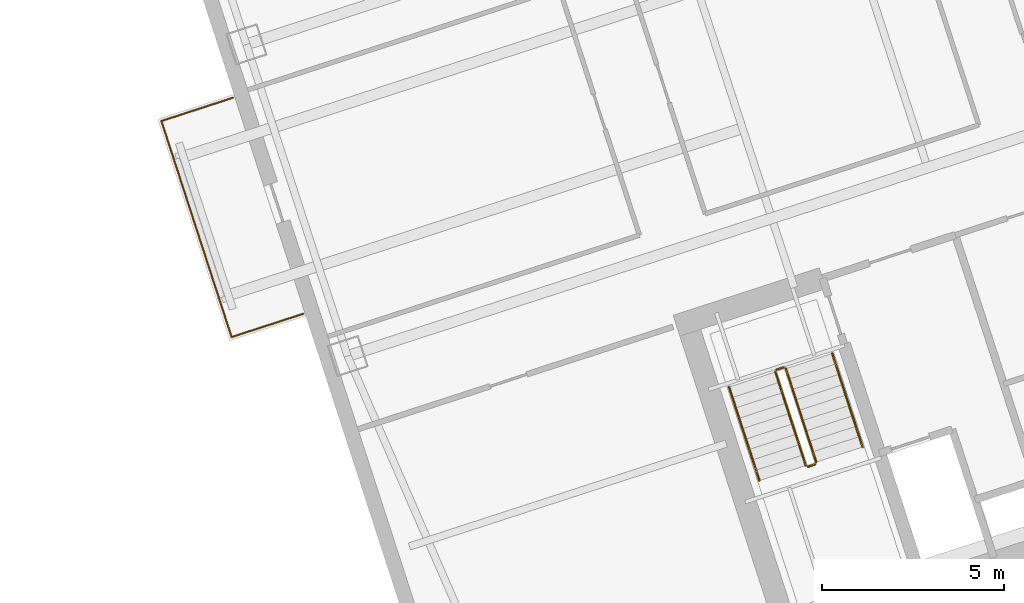
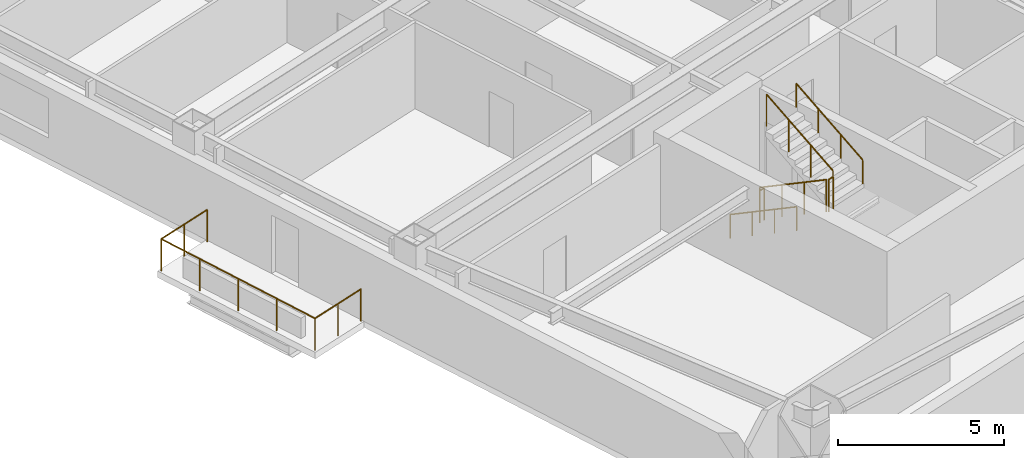
# One storey, part 13 of 14: 7 railings.
"""IFC4 building model written with IfcOpenShell, lengths in metres."""

from ifc_helpers import new_model, si_unit, direction, frame, origin, origin_2d, place, context, subcontext, project, spatial, circle, extrude, material, type_object, element, save


model = new_model("IFC4")

# Units and contexts
model_context = context("Model", 3, precision=1e-05, world=origin(), true_north=direction((0.0, 1.0)))
body_context = subcontext(model_context, "Body", "Model", "MODEL_VIEW")
ifc_project = project(units=[si_unit("LENGTHUNIT", "METRE"), si_unit("AREAUNIT", "SQUARE_METRE"), si_unit("VOLUMEUNIT", "CUBIC_METRE"), si_unit("PLANEANGLEUNIT", "RADIAN"), si_unit("MASSUNIT", "GRAM", prefix="KILO")], contexts=[model_context])

# Site, building, storey
site_placement = place(None, origin())
site = spatial("IfcSite", under=ifc_project, at=site_placement, CompositionType="ELEMENT")
building_placement = place(site_placement, origin())
building = spatial("IfcBuilding", under=site, at=building_placement, Name="Qiaolan Cultural Towers", CompositionType="ELEMENT")
storey_placement = place(building_placement, frame((0.0, 0.0, 124.199951171875)))
storey = spatial("IfcBuildingStorey", under=building, at=storey_placement, Name="L32", CompositionType="ELEMENT", Elevation=124.199951171875)

# Railings
ifc_material_1 = material(Name="Laminated SentryGlas & Stainless Steel S31608 Balustrade", Category="steel")
railing_type_1 = type_object("IfcRailingType", Name="GRD-TERR-1200", PredefinedType="BALUSTRADE", material=ifc_material_1)
railing_1_placement = place(storey_placement, frame((75.6328125, 21.4248046875, 0.0)))
element("IfcRailing", 1, at=railing_1_placement, inside=storey, type_object=railing_type_1, Name="L32 T2 Tree Balcony Guardrail W", PredefinedType="BALUSTRADE", context=body_context, shape_type="SweptSolid", body=[
    extrude(circle(Radius=0.02392578125, at=origin_2d()), frame((0.0, 0.0, 1.17578125), z_axis=(-0.951061799618, -0.309000733507, 0.0), x_axis=(0.309000733507, -0.951061799618, 0.0)), (0.0, 0.0, 1.0), 2.070068359375),
    extrude(circle(Radius=0.02392578125, at=origin_2d()), frame((-1.96875, -0.6396484375, 1.17578125), z_axis=(-0.30901175762, 0.951058217804, 0.0), x_axis=(-0.951058217804, -0.30901175762, 0.0)), (0.0, 0.0, 1.0), 6.239990234375),
    extrude(circle(Radius=0.02392578125, at=origin_2d()), frame((-3.89697265625, 5.294921875, 1.17578125), z_axis=(0.951061799618, 0.309000733507, 0.0), x_axis=(-0.309000733507, 0.951061799618, 0.0)), (0.0, 0.0, 1.0), 2.070068359375),
    extrude(circle(Radius=0.02099609375, at=origin_2d()), origin(), (0.0, 0.0, 1.0), 1.15185546875),
    extrude(circle(Radius=0.02099609375, at=origin_2d()), frame((-0.984375, -0.31982421875, 0.0)), (0.0, 0.0, 1.0), 1.15185546875),
    extrude(circle(Radius=0.02099609375, at=origin_2d()), frame((-1.96875, -0.6396484375, 0.0)), (0.0, 0.0, 1.0), 1.15185546875),
    extrude(circle(Radius=0.02099609375, at=origin_2d()), frame((-2.45068359375, 0.843994140625, 0.0)), (0.0, 0.0, 1.0), 1.15185546875),
    extrude(circle(Radius=0.02099609375, at=origin_2d()), frame((-2.932861328125, 2.32763671875, 0.0)), (0.0, 0.0, 1.0), 1.15185546875),
    extrude(circle(Radius=0.02099609375, at=origin_2d()), frame((-3.4150390625, 3.811279296875, 0.0)), (0.0, 0.0, 1.0), 1.15185546875),
    extrude(circle(Radius=0.02099609375, at=origin_2d()), frame((-3.89697265625, 5.294921875, 0.0)), (0.0, 0.0, 1.0), 1.15185546875),
    extrude(circle(Radius=0.02099609375, at=origin_2d()), frame((-2.91259765625, 5.61474609375, 0.0)), (0.0, 0.0, 1.0), 1.15185546875),
    extrude(circle(Radius=0.02099609375, at=origin_2d()), frame((-1.92822265625, 5.9345703125, 0.0)), (0.0, 0.0, 1.0), 1.15185546875),
])
ifc_material_2 = material(Name="Galvanized Painted Steel Stair Guardrail", Category="steel")
railing_type_2 = type_object("IfcRailingType", Name="RL-STAIR-GRD", PredefinedType="GUARDRAIL", material=ifc_material_2)
railing_2_placement = place(storey_placement, frame((88.60205078125, 19.82421875, 0.172607421875)))
element("IfcRailing", 2, at=railing_2_placement, inside=storey, type_object=railing_type_2, Name="L32 ST-E1 stair guard 1", PredefinedType="GUARDRAIL", context=body_context, shape_type="SweptSolid", body=[
    extrude(circle(Radius=0.02392578125, at=origin_2d()), frame((0.0, 0.0, 1.17578125), z_axis=(0.267925668498, -0.824471088726, 0.498460891159), x_axis=(0.951043371037, 0.309057448393, 0.0)), (0.0, 0.0, 1.0), 3.114501953125),
    extrude(circle(Radius=0.02099609375, at=origin_2d()), origin(), (0.0, 0.0, 1.0), 1.15185546875),
    extrude(circle(Radius=0.02099609375, at=origin_2d()), frame((0.278076171875, -0.85595703125, 0.517578125)), (0.0, 0.0, 1.0), 1.15185546875),
    extrude(circle(Radius=0.02099609375, at=origin_2d()), frame((0.556396484375, -1.7119140625, 1.034912109375)), (0.0, 0.0, 1.0), 1.15185546875),
    extrude(circle(Radius=0.02099609375, at=origin_2d()), frame((0.83447265625, -2.56787109375, 1.552490234375)), (0.0, 0.0, 1.0), 1.15185546875),
])
railing_3_placement = place(storey_placement, frame((89.49951171875, 17.224365234375, 1.72509765625)))
element("IfcRailing", 3, at=railing_3_placement, inside=storey, type_object=railing_type_2, Name="L32 ST-E1 stair guard 2", PredefinedType="GUARDRAIL", context=body_context, shape_type="SweptSolid", body=[
    extrude(circle(Radius=0.02392578125, at=origin_2d()), frame((0.0, 0.0, 1.17578125), z_axis=(0.951096855055, 0.308892816854, 0.0), x_axis=(-0.308892816854, 0.951096855055, 0.0)), (0.0, 0.0, 1.0), 0.199951171875),
    extrude(circle(Radius=0.02099609375, at=origin_2d()), origin(), (0.0, 0.0, 1.0), 1.15185546875),
    extrude(circle(Radius=0.02099609375, at=origin_2d()), frame((0.190185546875, 0.061767578125, 0.0)), (0.0, 0.0, 1.0), 1.15185546875),
])
railing_4_placement = place(storey_placement, frame((89.721923828125, 17.34912109375, 1.8974609375)))
element("IfcRailing", 4, at=railing_4_placement, inside=storey, type_object=railing_type_2, Name="L32 ST-E1 stair guard 3", PredefinedType="GUARDRAIL", context=body_context, shape_type="SweptSolid", body=[
    extrude(circle(Radius=0.02392578125, at=origin_2d()), frame((0.0, 0.0, 1.17578125), z_axis=(-0.267925668498, 0.824471088726, 0.498460891159), x_axis=(-0.951043371037, -0.309057448393, 0.0)), (0.0, 0.0, 1.0), 3.114501953125),
    extrude(circle(Radius=0.02099609375, at=origin_2d()), origin(), (0.0, 0.0, 1.0), 1.15185546875),
    extrude(circle(Radius=0.02099609375, at=origin_2d()), frame((-0.278076171875, 0.85595703125, 0.517578125)), (0.0, 0.0, 1.0), 1.15185546875),
    extrude(circle(Radius=0.02099609375, at=origin_2d()), frame((-0.556396484375, 1.7119140625, 1.034912109375)), (0.0, 0.0, 1.0), 1.15185546875),
    extrude(circle(Radius=0.02099609375, at=origin_2d()), frame((-0.83447265625, 2.56787109375, 1.552490234375)), (0.0, 0.0, 1.0), 1.15185546875),
])
railing_5_placement = place(storey_placement, frame((88.63427734375, 19.88720703125, 0.0)))
element("IfcRailing", 5, at=railing_5_placement, inside=storey, type_object=railing_type_2, Name="L32 ST-E1 stair guard 4", PredefinedType="GUARDRAIL", context=body_context, shape_type="SweptSolid", body=[
    extrude(circle(Radius=0.02392578125, at=origin_2d()), frame((0.0, 0.0, 1.17578125), z_axis=(0.951096855055, 0.308892816854, 0.0), x_axis=(-0.308892816854, 0.951096855055, 0.0)), (0.0, 0.0, 1.0), 0.199951171875),
    extrude(circle(Radius=0.02099609375, at=origin_2d()), origin(), (0.0, 0.0, 1.0), 1.15185546875),
    extrude(circle(Radius=0.02099609375, at=origin_2d()), frame((0.190185546875, 0.061767578125, 0.0)), (0.0, 0.0, 1.0), 1.15185546875),
])
ifc_material_3 = material(Name="Stainless Steel S30408 Tubular Handrail", Category="steel")
railing_type_3 = type_object("IfcRailingType", Name="RL-STAIR-HR", PredefinedType="HANDRAIL", material=ifc_material_3)
railing_6_placement = place(storey_placement, frame((87.32763671875, 19.41015625, 0.172607421875)))
element("IfcRailing", 6, at=railing_6_placement, inside=storey, type_object=railing_type_3, Name="L32 ST-E1 stair handrail 1", PredefinedType="HANDRAIL", context=body_context, shape_type="SweptSolid", body=[
    extrude(circle(Radius=0.02392578125, at=origin_2d()), frame((0.0, 0.0, 0.8759765625), z_axis=(0.267925668498, -0.824471088726, 0.498460891159), x_axis=(0.951043371037, 0.309057448393, 0.0)), (0.0, 0.0, 1.0), 3.114501953125),
    extrude(circle(Radius=0.02099609375, at=origin_2d()), origin(), (0.0, 0.0, 1.0), 0.851806640625),
    extrude(circle(Radius=0.02099609375, at=origin_2d()), frame((0.278076171875, -0.85595703125, 0.517578125)), (0.0, 0.0, 1.0), 0.851806640625),
    extrude(circle(Radius=0.02099609375, at=origin_2d()), frame((0.556396484375, -1.7119140625, 1.034912109375)), (0.0, 0.0, 1.0), 0.851806640625),
    extrude(circle(Radius=0.02099609375, at=origin_2d()), frame((0.83447265625, -2.56787109375, 1.552490234375)), (0.0, 0.0, 1.0), 0.851806640625),
])
railing_7_placement = place(storey_placement, frame((90.996337890625, 17.76318359375, 1.8974609375)))
element("IfcRailing", 7, at=railing_7_placement, inside=storey, type_object=railing_type_3, Name="L32 ST-E1 stair handrail 2", PredefinedType="HANDRAIL", context=body_context, shape_type="SweptSolid", body=[
    extrude(circle(Radius=0.02392578125, at=origin_2d()), frame((0.0, 0.0, 0.8759765625), z_axis=(-0.267925668498, 0.824471088726, 0.498460891159), x_axis=(-0.951043371037, -0.309057448393, 0.0)), (0.0, 0.0, 1.0), 3.114501953125),
    extrude(circle(Radius=0.02099609375, at=origin_2d()), origin(), (0.0, 0.0, 1.0), 0.851806640625),
    extrude(circle(Radius=0.02099609375, at=origin_2d()), frame((-0.278076171875, 0.85595703125, 0.517578125)), (0.0, 0.0, 1.0), 0.851806640625),
    extrude(circle(Radius=0.02099609375, at=origin_2d()), frame((-0.556396484375, 1.7119140625, 1.034912109375)), (0.0, 0.0, 1.0), 0.851806640625),
    extrude(circle(Radius=0.02099609375, at=origin_2d()), frame((-0.83447265625, 2.56787109375, 1.552490234375)), (0.0, 0.0, 1.0), 0.851806640625),
])

save(model, "model.ifc")
